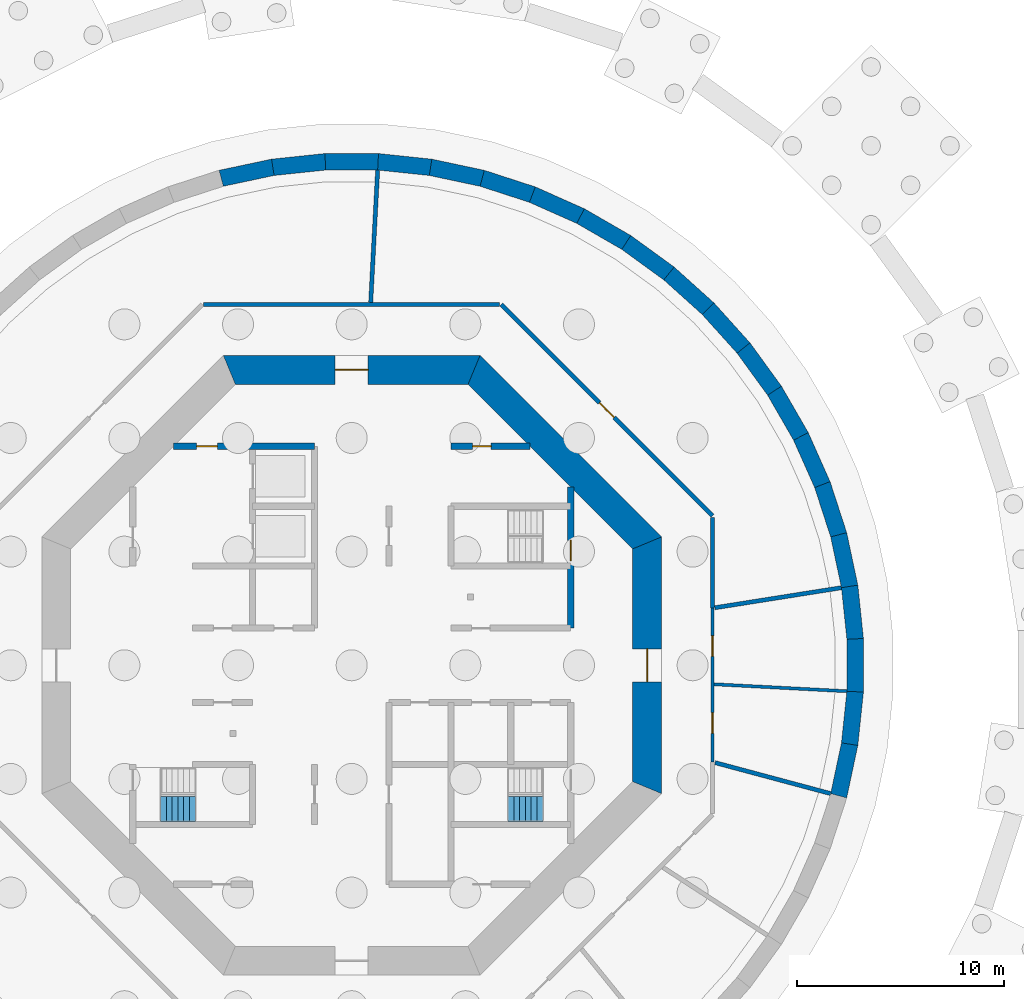
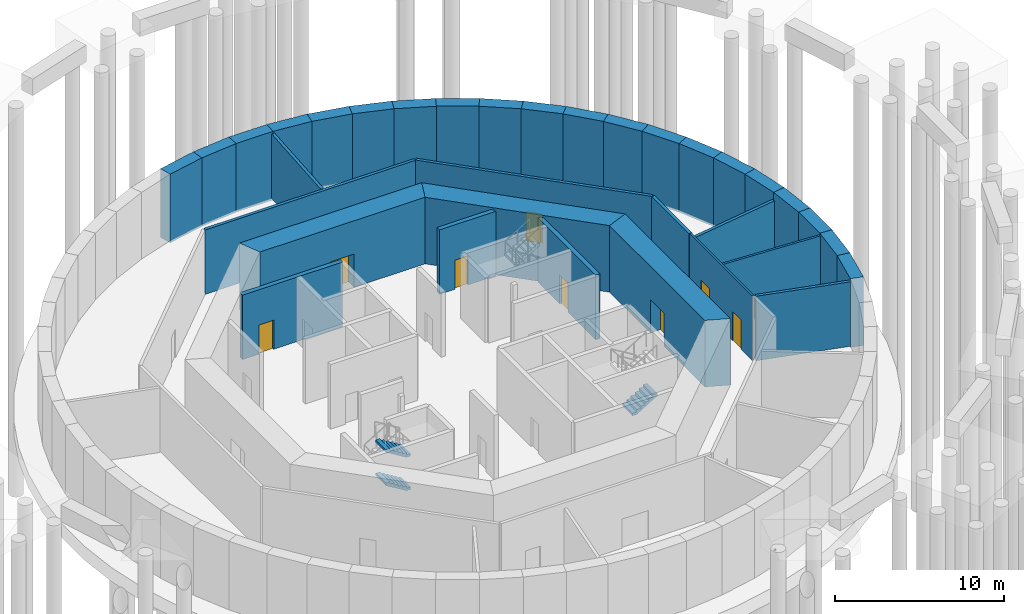
# One storey, part 5 of 8: 34 walls, 8 doors, 3 stair flights, 8 openings, 2 elements without a shape of their own.
"""IFC4 building model written with IfcOpenShell, lengths in metres."""

from ifc_helpers import new_model, si_unit, direction, frame, frame_2d, origin, place, context, subcontext, project, spatial, polyline, rectangle, outline, extrude, material, layer, layer_set, type_object, element, fill, aggregate, save


model = new_model("IFC4")

# Units and contexts
model_context = context("Model", 3, precision=1e-05, world=origin(), true_north=direction((0.0, 1.0)))
body_context = subcontext(model_context, "Body", "Model", "MODEL_VIEW")
ifc_project = project(units=[si_unit("LENGTHUNIT", "METRE"), si_unit("AREAUNIT", "SQUARE_METRE"), si_unit("VOLUMEUNIT", "CUBIC_METRE"), si_unit("PLANEANGLEUNIT", "RADIAN"), si_unit("MASSUNIT", "GRAM", prefix="KILO")], contexts=[model_context])

# Site, building, storey
site_placement = place(None, origin())
site = spatial("IfcSite", under=ifc_project, at=site_placement, CompositionType="ELEMENT")
building_placement = place(site_placement, origin())
building = spatial("IfcBuilding", under=site, at=building_placement, Name="Entoto Ring Tower", CompositionType="ELEMENT")
storey_placement = place(building_placement, frame((0.0, 0.0, -9.60009765625)))
storey = spatial("IfcBuildingStorey", under=building, at=storey_placement, Name="B2", CompositionType="ELEMENT", Elevation=-9.60009765625)

# Wall, opening, door
ifc_material_1 = material(Name="Concrete C40/50", Category="concrete")
ifc_layer_1 = layer(ifc_material_1, 0.300048828125)
ifc_layer_set_1 = layer_set([ifc_layer_1], Name="Concrete C40/50")
wall_type_1 = type_object("IfcWallType", Name="Core enclosure wall 300 mm reinforced concrete", PredefinedType="SOLIDWALL", material=ifc_layer_set_1)
wall_1_placement = place(storey_placement, frame((100.60009765625, 81.800048828125, 0.0), z_axis=(0.0, 0.0, 1.0), x_axis=(0.0, 1.0, 0.0)))
wall_1 = element("IfcWall", 1, at=wall_1_placement, inside=storey, type_object=wall_type_1, Name="wall-B2-002", PredefinedType="SOLIDWALL", context=body_context, shape_type="SweptSolid", body=[
    extrude(rectangle(XDim=6.833251953125, YDim=0.300048828125, at=frame_2d((3.41650390625, 0.0))), origin(), (0.0, 0.0, 1.0), 4.650146484375),
])
opening_1_placement = place(wall_1_placement, frame((3.25, 0.0, 0.0)))
opening_1 = element("IfcOpeningElement", 2, at=opening_1_placement, cuts=wall_1, Name="Opening K-52", PredefinedType="OPENING", context=body_context, shape_type="SweptSolid", body=[
    extrude(rectangle(XDim=1.0, YDim=2.10009765625, at=frame_2d((0.5, 1.050048828125))), frame((0.0, 0.16015625, 0.0), z_axis=(0.0, -1.0, 0.0), x_axis=(1.0, 0.0, 0.0)), (0.0, 0.0, 1.0), 0.320068359375),
])
ifc_material_2 = material(Name="Steel door leaf, fire rated", Category="steel")
ifc_layer_2 = layer(ifc_material_2, 0.050048828125)
ifc_layer_set_2 = layer_set([ifc_layer_2], Name="Steel door leaf, fire rated")
door_type_1 = type_object("IfcDoorType", Name="Fire door FD60 1000 x 2100 single leaf", OperationType="NOTDEFINED", PredefinedType="DOOR", material=ifc_layer_set_2)
door_1_placement = place(opening_1_placement, origin())
door_1 = element("IfcDoor", 3, at=door_1_placement, inside=storey, type_object=door_type_1, Name="Door K-52", OperationType="SINGLE_SWING_RIGHT", OverallHeight=2.10009765625, OverallWidth=1.0, PredefinedType="DOOR", context=body_context, shape_type="SweptSolid", body=[
    extrude(rectangle(XDim=1.0, YDim=2.10009765625, at=frame_2d((0.5, 1.050048828125))), frame((0.0, 0.02490234375, 0.0), z_axis=(0.0, -1.0, 0.0), x_axis=(1.0, 0.0, 0.0)), (0.0, 0.0, 1.0), 0.050048828125),
])
fill(opening_1, door_1)

wall_2_placement = place(storey_placement, frame((81.36669921875, 90.60009765625, 0.0), z_axis=(0.0, 0.0, 1.0), x_axis=(1.0, 0.0, 0.0)))
wall_2 = element("IfcWall", 4, at=wall_2_placement, inside=storey, type_object=wall_type_1, Name="wall-B2-028", PredefinedType="SOLIDWALL", context=body_context, shape_type="SweptSolid", body=[
    extrude(rectangle(XDim=6.833251953125, YDim=0.300048828125, at=frame_2d((3.41650390625, 0.0))), origin(), (0.0, 0.0, 1.0), 4.650146484375),
])
opening_2_placement = place(wall_2_placement, frame((1.13330078125, 0.0, 0.0)))
opening_2 = element("IfcOpeningElement", 5, at=opening_2_placement, cuts=wall_2, Name="Opening K-22", PredefinedType="OPENING", context=body_context, shape_type="SweptSolid", body=[
    extrude(rectangle(XDim=1.0, YDim=2.10009765625, at=frame_2d((0.5, 1.050048828125))), frame((0.0, 0.16015625, 0.0), z_axis=(0.0, -1.0, 0.0), x_axis=(1.0, 0.0, 0.0)), (0.0, 0.0, 1.0), 0.320068359375),
])
door_2_placement = place(opening_2_placement, frame((1.0, 0.0, 0.0), z_axis=(0.0, 0.0, 1.0), x_axis=(-1.0, 0.0, 0.0)))
door_2 = element("IfcDoor", 6, at=door_2_placement, inside=storey, type_object=door_type_1, Name="Door K-22", OperationType="SINGLE_SWING_RIGHT", OverallHeight=2.10009765625, OverallWidth=1.0, PredefinedType="DOOR", context=body_context, shape_type="SweptSolid", body=[
    extrude(rectangle(XDim=1.0, YDim=2.10009765625, at=frame_2d((0.5, 1.050048828125))), frame((0.0, 0.02490234375, 0.0), z_axis=(0.0, -1.0, 0.0), x_axis=(1.0, 0.0, 0.0)), (0.0, 0.0, 1.0), 0.050048828125),
])
fill(opening_2, door_2)

wall_3_placement = place(storey_placement, frame((94.800048828125, 90.60009765625, 0.0), z_axis=(0.0, 0.0, 1.0), x_axis=(1.0, 0.0, 0.0)))
wall_3 = element("IfcWall", 7, at=wall_3_placement, inside=storey, type_object=wall_type_1, Name="wall-B2-029", PredefinedType="SOLIDWALL", context=body_context, shape_type="SweptSolid", body=[
    extrude(rectangle(XDim=3.833251953125, YDim=0.300048828125, at=frame_2d((1.91650390625, 0.0))), origin(), (0.0, 0.0, 1.0), 4.650146484375),
])
opening_3_placement = place(wall_3_placement, frame((1.050048828125, 0.0, 0.0)))
opening_3 = element("IfcOpeningElement", 8, at=opening_3_placement, cuts=wall_3, Name="Opening K-60", PredefinedType="OPENING", context=body_context, shape_type="SweptSolid", body=[
    extrude(rectangle(XDim=0.89990234375, YDim=2.10009765625, at=frame_2d((0.449951171875, 1.050048828125))), frame((0.0, 0.16015625, 0.0), z_axis=(0.0, -1.0, 0.0), x_axis=(1.0, 0.0, 0.0)), (0.0, 0.0, 1.0), 0.320068359375),
])
ifc_material_3 = material(Name="Steel door leaf, fire rated", Category="steel")
ifc_layer_3 = layer(ifc_material_3, 0.050048828125)
ifc_layer_set_3 = layer_set([ifc_layer_3], Name="Steel door leaf, fire rated")
door_type_2 = type_object("IfcDoorType", Name="Riser door FD60 900 x 2100 single leaf", OperationType="NOTDEFINED", PredefinedType="DOOR", material=ifc_layer_set_3)
door_3_placement = place(opening_3_placement, frame((0.89990234375, 0.0, 0.0), z_axis=(0.0, 0.0, 1.0), x_axis=(-1.0, 0.0, 0.0)))
door_3 = element("IfcDoor", 9, at=door_3_placement, inside=storey, type_object=door_type_2, Name="Door K-60", OperationType="SINGLE_SWING_LEFT", OverallHeight=2.10009765625, OverallWidth=0.89990234375, PredefinedType="DOOR", context=body_context, shape_type="SweptSolid", body=[
    extrude(rectangle(XDim=0.89990234375, YDim=2.10009765625, at=frame_2d((0.449951171875, 1.050048828125))), frame((0.0, 0.02490234375, 0.0), z_axis=(0.0, -1.0, 0.0), x_axis=(1.0, 0.0, 0.0)), (0.0, 0.0, 1.0), 0.050048828125),
])
fill(opening_3, door_3)

ifc_material_4 = material(Name="Concrete C60/75", Category="concrete")
ifc_layer_4 = layer(ifc_material_4, 1.39990234375)
ifc_layer_set_4 = layer_set([ifc_layer_4], Name="Concrete C60/75")
wall_type_2 = type_object("IfcWallType", Name="Core shear wall 1400 mm reinforced concrete C60/75", PredefinedType="SHEAR", material=ifc_layer_set_4)
wall_4_placement = place(storey_placement, frame((104.300048828125, 74.07666015625, 0.0), z_axis=(0.0, 0.0, 1.0), x_axis=(0.0, 1.0, 0.0)))
wall_4 = element("IfcWall", 10, at=wall_4_placement, inside=storey, type_object=wall_type_2, Name="wall-B2-core-0", PredefinedType="SHEAR", context=body_context, shape_type="SweptSolid", body=[
    extrude(outline(polyline([(-0.2900390625, -0.699951171875), (12.13671875, -0.699951171875), (11.556640625, 0.699951171875), (0.2900390625, 0.699951171875), (-0.2900390625, -0.699951171875)])), origin(), (0.0, 0.0, 1.0), 4.800048828125),
])
opening_4_placement = place(wall_4_placement, frame((5.123291015625, 0.0, 0.0)))
opening_4 = element("IfcOpeningElement", 11, at=opening_4_placement, cuts=wall_4, Name="Opening K-01", PredefinedType="OPENING", context=body_context, shape_type="SweptSolid", body=[
    extrude(rectangle(XDim=1.60009765625, YDim=2.39990234375, at=frame_2d((0.800048828125, 1.199951171875))), frame((0.0, 0.7099609375, 0.0), z_axis=(0.0, -1.0, 0.0), x_axis=(1.0, 0.0, 0.0)), (0.0, 0.0, 1.0), 1.419921875),
])
ifc_material_5 = material(Name="Steel door leaf, fire rated", Category="steel")
ifc_layer_5 = layer(ifc_material_5, 0.050048828125)
ifc_layer_set_5 = layer_set([ifc_layer_5], Name="Steel door leaf, fire rated")
door_type_3 = type_object("IfcDoorType", Name="Entrance door FD60 1600 x 2400 double leaf", OperationType="DOUBLE_DOOR_SINGLE_SWING", PredefinedType="DOOR", material=ifc_layer_set_5)
door_4_placement = place(opening_4_placement, origin())
door_4 = element("IfcDoor", 12, at=door_4_placement, inside=storey, type_object=door_type_3, Name="Entrance door K-01", OperationType="DOUBLE_DOOR_SINGLE_SWING", OverallHeight=2.39990234375, OverallWidth=1.60009765625, PredefinedType="DOOR", context=body_context, shape_type="SweptSolid", body=[
    extrude(rectangle(XDim=1.60009765625, YDim=2.39990234375, at=frame_2d((0.800048828125, 1.199951171875))), frame((0.0, 0.02490234375, 0.0), z_axis=(0.0, -1.0, 0.0), x_axis=(1.0, 0.0, 0.0)), (0.0, 0.0, 1.0), 0.050048828125),
])
fill(opening_4, door_4)

# Wall
wall_5_placement = place(storey_placement, frame((104.300048828125, 85.92333984375, 0.0), z_axis=(0.0, 0.0, 1.0), x_axis=(-0.707106781187, 0.707106781187, 0.0)))
element("IfcWall", 13, at=wall_5_placement, inside=storey, type_object=wall_type_2, Name="wall-B2-core-1", PredefinedType="SHEAR", context=body_context, shape_type="SweptSolid", body=[
    extrude(outline(polyline([(-0.2900390625, -0.699951171875), (12.136474609375, -0.699951171875), (11.556396484375, 0.699951171875), (0.2900390625, 0.699951171875), (-0.2900390625, -0.699951171875)])), origin(), (0.0, 0.0, 1.0), 4.800048828125),
])

# Wall, opening, door
wall_6_placement = place(storey_placement, frame((95.92333984375, 94.300048828125, 0.0), z_axis=(0.0, 0.0, 1.0), x_axis=(-1.0, 0.0, 0.0)))
wall_6 = element("IfcWall", 14, at=wall_6_placement, inside=storey, type_object=wall_type_2, Name="wall-B2-core-2", PredefinedType="SHEAR", context=body_context, shape_type="SweptSolid", body=[
    extrude(outline(polyline([(-0.2900390625, -0.699951171875), (12.13671875, -0.699951171875), (11.556640625, 0.699951171875), (0.2900390625, 0.699951171875), (-0.2900390625, -0.699951171875)])), origin(), (0.0, 0.0, 1.0), 4.800048828125),
])
opening_5_placement = place(wall_6_placement, frame((5.123291015625, 0.0, 0.0)))
opening_5 = element("IfcOpeningElement", 15, at=opening_5_placement, cuts=wall_6, Name="Opening K-02", PredefinedType="OPENING", context=body_context, shape_type="SweptSolid", body=[
    extrude(rectangle(XDim=1.60009765625, YDim=2.39990234375, at=frame_2d((0.800048828125, 1.199951171875))), frame((0.0, 0.7099609375, 0.0), z_axis=(0.0, -1.0, 0.0), x_axis=(1.0, 0.0, 0.0)), (0.0, 0.0, 1.0), 1.419921875),
])
door_5_placement = place(opening_5_placement, origin())
door_5 = element("IfcDoor", 16, at=door_5_placement, inside=storey, type_object=door_type_3, Name="Entrance door K-02", OperationType="DOUBLE_DOOR_SINGLE_SWING", OverallHeight=2.39990234375, OverallWidth=1.60009765625, PredefinedType="DOOR", context=body_context, shape_type="SweptSolid", body=[
    extrude(rectangle(XDim=1.60009765625, YDim=2.39990234375, at=frame_2d((0.800048828125, 1.199951171875))), frame((0.0, 0.02490234375, 0.0), z_axis=(0.0, -1.0, 0.0), x_axis=(1.0, 0.0, 0.0)), (0.0, 0.0, 1.0), 0.050048828125),
])
fill(opening_5, door_5)

# Wall, openings, doors
ifc_material_6 = material(Name="Fire-resisting plasterboard on steel studs", Category="steel")
ifc_layer_6 = layer(ifc_material_6, 0.125)
ifc_layer_set_6 = layer_set([ifc_layer_6], Name="Fire-resisting plasterboard on steel studs")
wall_type_3 = type_object("IfcWallType", Name="Corridor wall 125 mm one-hour plasterboard on steel studs", PredefinedType="PARTITIONING", material=ifc_layer_set_6)
wall_7_placement = place(storey_placement, frame((107.46240234375, 75.32080078125, 0.0), z_axis=(0.0, 0.0, 1.0), x_axis=(0.0, 1.0, 0.0)))
wall_7 = element("IfcWall", 17, at=wall_7_placement, inside=storey, type_object=wall_type_3, Name="partition-B2-001", PredefinedType="PARTITIONING", context=body_context, shape_type="SweptSolid", body=[
    extrude(rectangle(XDim=7.445068359375, YDim=0.125, at=frame_2d((3.72265625, 0.0))), origin(), (0.0, 0.0, 1.0), 4.650146484375),
])
opening_6_placement = place(wall_7_placement, frame((1.3818359375, 0.0, 0.0)))
opening_6 = element("IfcOpeningElement", 18, at=opening_6_placement, cuts=wall_7, Name="Opening B02-D09", PredefinedType="OPENING", context=body_context, shape_type="SweptSolid", body=[
    extrude(rectangle(XDim=1.0, YDim=2.10009765625, at=frame_2d((0.5, 1.050048828125))), frame((0.0, 0.072509765625, 0.0), z_axis=(0.0, -1.0, 0.0), x_axis=(1.0, 0.0, 0.0)), (0.0, 0.0, 1.0), 0.14501953125),
])
opening_7_placement = place(wall_7_placement, frame((5.1044921875, 0.0, 0.0)))
opening_7 = element("IfcOpeningElement", 19, at=opening_7_placement, cuts=wall_7, Name="Opening B02-D10", PredefinedType="OPENING", context=body_context, shape_type="SweptSolid", body=[
    extrude(rectangle(XDim=1.0, YDim=2.10009765625, at=frame_2d((0.5, 1.050048828125))), frame((0.0, 0.072509765625, 0.0), z_axis=(0.0, -1.0, 0.0), x_axis=(1.0, 0.0, 0.0)), (0.0, 0.0, 1.0), 0.14501953125),
])
ifc_material_7 = material(Name="Fire-resisting timber door set", Category="wood")
door_type_4 = type_object("IfcDoorType", Name="Door 1000 x 2100 single leaf FD30S fire door", OperationType="NOTDEFINED", PredefinedType="DOOR", material=ifc_material_7)
door_6_placement = place(opening_6_placement, frame((1.0, 0.0, 0.0), z_axis=(0.0, 0.0, 1.0), x_axis=(-1.0, 0.0, 0.0)))
door_6 = element("IfcDoor", 20, at=door_6_placement, inside=storey, type_object=door_type_4, Name="Door B02-D09", OperationType="SINGLE_SWING_RIGHT", OverallHeight=2.10009765625, OverallWidth=1.0, PredefinedType="DOOR", context=body_context, shape_type="SweptSolid", body=[
    extrude(rectangle(XDim=1.0, YDim=2.10009765625, at=frame_2d((0.5, 1.050048828125))), frame((0.0, 0.02490234375, 0.0), z_axis=(0.0, -1.0, 0.0), x_axis=(1.0, 0.0, 0.0)), (0.0, 0.0, 1.0), 0.050048828125),
])
fill(opening_6, door_6)
door_7_placement = place(opening_7_placement, frame((1.0, 0.0, 0.0), z_axis=(0.0, 0.0, 1.0), x_axis=(-1.0, 0.0, 0.0)))
door_7 = element("IfcDoor", 21, at=door_7_placement, inside=storey, type_object=door_type_4, Name="Door B02-D10", OperationType="SINGLE_SWING_RIGHT", OverallHeight=2.10009765625, OverallWidth=1.0, PredefinedType="DOOR", context=body_context, shape_type="SweptSolid", body=[
    extrude(rectangle(XDim=1.0, YDim=2.10009765625, at=frame_2d((0.5, 1.050048828125))), frame((0.0, 0.02490234375, 0.0), z_axis=(0.0, -1.0, 0.0), x_axis=(1.0, 0.0, 0.0)), (0.0, 0.0, 1.0), 0.050048828125),
])
fill(opening_7, door_7)

# Wall
ifc_material_8 = material(Name="Fire-resisting acoustic plasterboard on steel studs", Category="steel")
ifc_layer_7 = layer(ifc_material_8, 0.14990234375)
ifc_layer_set_7 = layer_set([ifc_layer_7], Name="Fire-resisting acoustic plasterboard on steel studs")
wall_type_4 = type_object("IfcWallType", Name="Party wall 150 mm one-hour acoustic plasterboard on steel studs", PredefinedType="PARTITIONING", material=ifc_layer_set_7)
wall_8_placement = place(storey_placement, frame((113.962158203125, 78.744140625, 0.0), z_axis=(0.0, 0.0, 1.0), x_axis=(-0.998629529589, 0.052336054812, 0.0)))
element("IfcWall", 22, at=wall_8_placement, inside=storey, type_object=wall_type_4, Name="partition-B2-002", PredefinedType="PARTITIONING", context=body_context, shape_type="SweptSolid", body=[
    extrude(rectangle(XDim=6.442138671875, YDim=0.14990234375, at=frame_2d((3.22119140625, 0.0))), origin(), (0.0, 0.0, 1.0), 4.650146484375),
])

# Wall, opening, door
ifc_material_9 = material(Name="Concrete C20/25", Category="concrete")
ifc_layer_8 = layer(ifc_material_9, 0.199951171875)
ifc_layer_set_8 = layer_set([ifc_layer_8], Name="Concrete C20/25")
wall_type_5 = type_object("IfcWallType", Name="Plant room wall 200 mm two-hour concrete", PredefinedType="PARTITIONING", material=ifc_layer_set_8)
wall_9_placement = place(storey_placement, frame((107.46240234375, 87.233154296875, 0.0), z_axis=(0.0, 0.0, 1.0), x_axis=(-0.707106781187, 0.707106781187, 0.0)))
wall_9 = element("IfcWall", 23, at=wall_9_placement, inside=storey, type_object=wall_type_5, Name="partition-B2-006", PredefinedType="PARTITIONING", context=body_context, shape_type="SweptSolid", body=[
    extrude(rectangle(XDim=14.46630859375, YDim=0.199951171875, at=frame_2d((7.233154296875, 0.0))), origin(), (0.0, 0.0, 1.0), 4.650146484375),
])
opening_8_placement = place(wall_9_placement, frame((6.733154296875, 0.0, 0.0)))
opening_8 = element("IfcOpeningElement", 24, at=opening_8_placement, cuts=wall_9, Name="Opening B02-D01", PredefinedType="OPENING", context=body_context, shape_type="SweptSolid", body=[
    extrude(rectangle(XDim=1.0, YDim=2.10009765625, at=frame_2d((0.5, 1.050048828125))), frame((0.0, 0.10986328125, 0.0), z_axis=(0.0, -1.0, 0.0), x_axis=(1.0, 0.0, 0.0)), (0.0, 0.0, 1.0), 0.219970703125),
])
ifc_material_10 = material(Name="Fire-resisting steel door set", Category="steel")
door_type_5 = type_object("IfcDoorType", Name="Door 1000 x 2100 single leaf FD60 steel door", OperationType="NOTDEFINED", PredefinedType="DOOR", material=ifc_material_10)
door_8_placement = place(opening_8_placement, frame((1.0, 0.0, 0.0), z_axis=(0.0, 0.0, 1.0), x_axis=(-1.0, 0.0, 0.0)))
door_8 = element("IfcDoor", 25, at=door_8_placement, inside=storey, type_object=door_type_5, Name="Door B02-D01", OperationType="SINGLE_SWING_RIGHT", OverallHeight=2.10009765625, OverallWidth=1.0, PredefinedType="DOOR", context=body_context, shape_type="SweptSolid", body=[
    extrude(rectangle(XDim=1.0, YDim=2.10009765625, at=frame_2d((0.5, 1.050048828125))), frame((0.0, 0.02490234375, 0.0), z_axis=(0.0, -1.0, 0.0), x_axis=(1.0, 0.0, 0.0)), (0.0, 0.0, 1.0), 0.050048828125),
])
fill(opening_8, door_8)

# Walls
wall_10_placement = place(storey_placement, frame((82.83740234375, 97.46240234375, 0.0), z_axis=(0.0, 0.0, 1.0), x_axis=(1.0, 0.0, 0.0)))
element("IfcWall", 26, at=wall_10_placement, inside=storey, type_object=wall_type_5, Name="partition-B2-009", PredefinedType="PARTITIONING", context=body_context, shape_type="SweptSolid", body=[
    extrude(rectangle(XDim=14.3251953125, YDim=0.199951171875, at=frame_2d((7.16259765625, 0.0))), origin(), (0.0, 0.0, 1.0), 4.650146484375),
])
wall_11_placement = place(storey_placement, frame((90.920654296875, 97.567626953125, 0.0), z_axis=(0.0, 0.0, 1.0), x_axis=(0.052348710803, 0.998628866235, 0.0)))
element("IfcWall", 27, at=wall_11_placement, inside=storey, type_object=wall_type_5, Name="partition-B2-010", PredefinedType="PARTITIONING", context=body_context, shape_type="SweptSolid", body=[
    extrude(rectangle(XDim=6.4033203125, YDim=0.199951171875, at=frame_2d((3.20166015625, 0.0))), origin(), (0.0, 0.0, 1.0), 4.650146484375),
])
wall_12_placement = place(storey_placement, frame((113.177490234375, 73.78955078125, 0.0), z_axis=(0.0, 0.0, 1.0), x_axis=(-0.96592752309, 0.258812712473, 0.0)))
element("IfcWall", 28, at=wall_12_placement, inside=storey, type_object=wall_type_5, Name="partition-B2-016", PredefinedType="PARTITIONING", context=body_context, shape_type="SweptSolid", body=[
    extrude(rectangle(XDim=5.786376953125, YDim=0.199951171875, at=frame_2d((2.89306640625, 0.0))), origin(), (0.0, 0.0, 1.0), 4.650146484375),
])
wall_13_placement = place(storey_placement, frame((107.46240234375, 82.765869140625, 0.0), z_axis=(0.0, 0.0, 1.0), x_axis=(0.0, 1.0, 0.0)))
element("IfcWall", 29, at=wall_13_placement, inside=storey, type_object=wall_type_5, Name="partition-B2-019", PredefinedType="PARTITIONING", context=body_context, shape_type="SweptSolid", body=[
    extrude(rectangle(XDim=4.396728515625, YDim=0.199951171875, at=frame_2d((2.1982421875, 0.0))), origin(), (0.0, 0.0, 1.0), 4.650146484375),
])
ifc_material_11 = material(Name="Concrete C20/25", Category="concrete")
ifc_layer_9 = layer(ifc_material_11, 0.199951171875)
ifc_layer_set_9 = layer_set([ifc_layer_9], Name="Concrete C20/25")
wall_type_6 = type_object("IfcWallType", Name="Plant room wall 200 mm two-hour concrete, 4250 mm high", PredefinedType="PARTITIONING", material=ifc_layer_set_9)
wall_14_placement = place(storey_placement, frame((107.578125, 82.7841796875, 0.0), z_axis=(0.0, 0.0, 1.0), x_axis=(0.98769035784, 0.156421728124, 0.0)))
element("IfcWall", 30, at=wall_14_placement, inside=storey, type_object=wall_type_6, Name="partition-B2-013", PredefinedType="PARTITIONING", context=body_context, shape_type="SweptSolid", body=[
    extrude(rectangle(XDim=6.19775390625, YDim=0.199951171875, at=frame_2d((3.098876953125, 0.0))), origin(), (0.0, 0.0, 1.0), 4.25),
])
ifc_material_12 = material(Name="Concrete C40/50", Category="concrete")
ifc_layer_10 = layer(ifc_material_12, 0.800048828125)
ifc_layer_set_10 = layer_set([ifc_layer_10], Name="Concrete C40/50")
wall_type_7 = type_object("IfcWallType", Name="Retaining wall 800 mm lower basement", PredefinedType="SOLIDWALL", material=ifc_layer_set_10)
wall_15_placement = place(storey_placement, frame((114.10009765625, 83.817138671875, -0.14990234375), z_axis=(0.0, 0.0, 1.0), x_axis=(-0.207903341306, 0.97814937544, 0.0)))
element("IfcWall", 31, at=wall_15_placement, inside=storey, type_object=wall_type_7, Name="Retaining wall B2 01", PredefinedType="SOLIDWALL", context=body_context, shape_type="SweptSolid", body=[
    extrude(outline(polyline([(-0.02099609375, -0.39990234375), (2.5751953125, -0.39990234375), (2.533203125, 0.39990234375), (0.02099609375, 0.39990234375), (-0.02099609375, -0.39990234375)])), origin(), (0.0, 0.0, 1.0), 4.949951171875),
])
for number, where, z_axis, x_axis, name in (
    (32, (113.569091796875, 86.3154296875, -0.14990234375), (0.0, 0.0, 1.0), (-0.30904932669, 0.951046010282, 0.0), "Retaining wall B2 02"),
    (33, (112.77978515625, 88.744384765625, -0.14990234375), (0.0, 0.0, 1.0), (-0.406732610778, 0.913547252927, 0.0), "Retaining wall B2 03"),
    (34, (111.740966796875, 91.07763671875, -0.14990234375), (0.0, 0.0, 1.0), (-0.499943114462, 0.866058244174, 0.0), "Retaining wall B2 04"),
    (35, (110.464111328125, 93.28955078125, -0.14990234375), (0.0, 0.0, 1.0), (-0.587802181756, 0.809004694129, 0.0), "Retaining wall B2 05"),
):
    element("IfcWall", number, at=place(storey_placement, frame(where, z_axis=z_axis, x_axis=x_axis)), inside=storey, type_object=wall_type_7, Name=name, PredefinedType="SOLIDWALL", context=body_context, shape_type="SweptSolid", body=[
        extrude(outline(polyline([(-0.02099609375, -0.39990234375), (2.574951171875, -0.39990234375), (2.532958984375, 0.39990234375), (0.02099609375, 0.39990234375), (-0.02099609375, -0.39990234375)])), origin(), (0.0, 0.0, 1.0), 4.949951171875),
    ])
for number, where, z_axis, x_axis, name in (
    (36, (108.962890625, 95.355712890625, -0.14990234375), (0.0, 0.0, 1.0), (-0.669096744895, 0.74317531308, 0.0), "Retaining wall B2 06"),
    (37, (107.25390625, 97.25390625, -0.14990234375), (0.0, 0.0, 1.0), (-0.74317531308, 0.669096744895, 0.0), "Retaining wall B2 07"),
):
    element("IfcWall", number, at=place(storey_placement, frame(where, z_axis=z_axis, x_axis=x_axis)), inside=storey, type_object=wall_type_7, Name=name, PredefinedType="SOLIDWALL", context=body_context, shape_type="SweptSolid", body=[
        extrude(outline(polyline([(-0.02099609375, -0.39990234375), (2.5751953125, -0.39990234375), (2.533203125, 0.39990234375), (0.02099609375, 0.39990234375), (-0.02099609375, -0.39990234375)])), origin(), (0.0, 0.0, 1.0), 4.949951171875),
    ])
for number, where, z_axis, x_axis, name in (
    (38, (105.355712890625, 98.962890625, -0.14990234375), (0.0, 0.0, 1.0), (-0.809004694129, 0.587802181756, 0.0), "Retaining wall B2 08"),
    (39, (103.28955078125, 100.464111328125, -0.14990234375), (0.0, 0.0, 1.0), (-0.866058244174, 0.499943114462, 0.0), "Retaining wall B2 09"),
    (40, (101.07763671875, 101.740966796875, -0.14990234375), (0.0, 0.0, 1.0), (-0.913547252927, 0.406732610778, 0.0), "Retaining wall B2 10"),
    (41, (98.744384765625, 102.77978515625, -0.14990234375), (0.0, 0.0, 1.0), (-0.951046010282, 0.30904932669, 0.0), "Retaining wall B2 11"),
):
    element("IfcWall", number, at=place(storey_placement, frame(where, z_axis=z_axis, x_axis=x_axis)), inside=storey, type_object=wall_type_7, Name=name, PredefinedType="SOLIDWALL", context=body_context, shape_type="SweptSolid", body=[
        extrude(outline(polyline([(-0.02099609375, -0.39990234375), (2.574951171875, -0.39990234375), (2.532958984375, 0.39990234375), (0.02099609375, 0.39990234375), (-0.02099609375, -0.39990234375)])), origin(), (0.0, 0.0, 1.0), 4.949951171875),
    ])
wall_16_placement = place(storey_placement, frame((96.3154296875, 103.569091796875, -0.14990234375), z_axis=(0.0, 0.0, 1.0), x_axis=(-0.97814937544, 0.207903341306, 0.0)))
element("IfcWall", 42, at=wall_16_placement, inside=storey, type_object=wall_type_7, Name="Retaining wall B2 12", PredefinedType="SOLIDWALL", context=body_context, shape_type="SweptSolid", body=[
    extrude(outline(polyline([(-0.02099609375, -0.39990234375), (2.5751953125, -0.39990234375), (2.533203125, 0.39990234375), (0.02099609375, 0.39990234375), (-0.02099609375, -0.39990234375)])), origin(), (0.0, 0.0, 1.0), 4.949951171875),
])
wall_17_placement = place(storey_placement, frame((93.817138671875, 104.10009765625, -0.14990234375), z_axis=(0.0, 0.0, 1.0), x_axis=(-0.994516970058, 0.104575313845, 0.0)))
element("IfcWall", 43, at=wall_17_placement, inside=storey, type_object=wall_type_7, Name="Retaining wall B2 13", PredefinedType="SOLIDWALL", context=body_context, shape_type="SweptSolid", body=[
    extrude(outline(polyline([(-0.02099609375, -0.39990234375), (2.574951171875, -0.39990234375), (2.532958984375, 0.39990234375), (0.02099609375, 0.39990234375), (-0.02099609375, -0.39990234375)])), origin(), (0.0, 0.0, 1.0), 4.949951171875),
])
wall_18_placement = place(storey_placement, frame((91.277099609375, 104.3671875, -0.14990234375), z_axis=(0.0, 0.0, 1.0), x_axis=(-1.0, 0.0, 0.0)))
element("IfcWall", 44, at=wall_18_placement, inside=storey, type_object=wall_type_7, Name="Retaining wall B2 14", PredefinedType="SOLIDWALL", context=body_context, shape_type="SweptSolid", body=[
    extrude(outline(polyline([(-0.02099609375, -0.39990234375), (2.5751953125, -0.39990234375), (2.533203125, 0.39990234375), (0.02099609375, 0.39990234375), (-0.02099609375, -0.39990234375)])), origin(), (0.0, 0.0, 1.0), 4.949951171875),
])
wall_19_placement = place(storey_placement, frame((88.722900390625, 104.3671875, -0.14990234375), z_axis=(0.0, 0.0, 1.0), x_axis=(-0.994516970058, -0.104575313845, 0.0)))
element("IfcWall", 45, at=wall_19_placement, inside=storey, type_object=wall_type_7, Name="Retaining wall B2 15", PredefinedType="SOLIDWALL", context=body_context, shape_type="SweptSolid", body=[
    extrude(outline(polyline([(-0.02099609375, -0.39990234375), (2.574951171875, -0.39990234375), (2.532958984375, 0.39990234375), (0.02099609375, 0.39990234375), (-0.02099609375, -0.39990234375)])), origin(), (0.0, 0.0, 1.0), 4.949951171875),
])
for number, where, z_axis, x_axis, name in (
    (46, (86.182861328125, 104.10009765625, -0.14990234375), (0.0, 0.0, 1.0), (-0.97814937544, -0.207903341306, 0.0), "Retaining wall B2 16"),
    (47, (113.569091796875, 73.6845703125, -0.14990234375), (0.0, 0.0, 1.0), (0.207903341306, 0.97814937544, 0.0), "Retaining wall B2 57"),
):
    element("IfcWall", number, at=place(storey_placement, frame(where, z_axis=z_axis, x_axis=x_axis)), inside=storey, type_object=wall_type_7, Name=name, PredefinedType="SOLIDWALL", context=body_context, shape_type="SweptSolid", body=[
        extrude(outline(polyline([(-0.02099609375, -0.39990234375), (2.5751953125, -0.39990234375), (2.533203125, 0.39990234375), (0.02099609375, 0.39990234375), (-0.02099609375, -0.39990234375)])), origin(), (0.0, 0.0, 1.0), 4.949951171875),
    ])
wall_20_placement = place(storey_placement, frame((114.10009765625, 76.182861328125, -0.14990234375), z_axis=(0.0, 0.0, 1.0), x_axis=(0.104575313845, 0.994516970058, 0.0)))
element("IfcWall", 48, at=wall_20_placement, inside=storey, type_object=wall_type_7, Name="Retaining wall B2 58", PredefinedType="SOLIDWALL", context=body_context, shape_type="SweptSolid", body=[
    extrude(outline(polyline([(-0.02099609375, -0.39990234375), (2.574951171875, -0.39990234375), (2.532958984375, 0.39990234375), (0.02099609375, 0.39990234375), (-0.02099609375, -0.39990234375)])), origin(), (0.0, 0.0, 1.0), 4.949951171875),
])
wall_21_placement = place(storey_placement, frame((114.3671875, 78.722900390625, -0.14990234375), z_axis=(0.0, 0.0, 1.0), x_axis=(0.0, 1.0, 0.0)))
element("IfcWall", 49, at=wall_21_placement, inside=storey, type_object=wall_type_7, Name="Retaining wall B2 59", PredefinedType="SOLIDWALL", context=body_context, shape_type="SweptSolid", body=[
    extrude(outline(polyline([(-0.02099609375, -0.39990234375), (2.5751953125, -0.39990234375), (2.533203125, 0.39990234375), (0.02099609375, 0.39990234375), (-0.02099609375, -0.39990234375)])), origin(), (0.0, 0.0, 1.0), 4.949951171875),
])
wall_22_placement = place(storey_placement, frame((114.3671875, 81.277099609375, -0.14990234375), z_axis=(0.0, 0.0, 1.0), x_axis=(-0.104575313845, 0.994516970058, 0.0)))
element("IfcWall", 50, at=wall_22_placement, inside=storey, type_object=wall_type_7, Name="Retaining wall B2 60", PredefinedType="SOLIDWALL", context=body_context, shape_type="SweptSolid", body=[
    extrude(outline(polyline([(-0.02099609375, -0.39990234375), (2.574951171875, -0.39990234375), (2.532958984375, 0.39990234375), (0.02099609375, 0.39990234375), (-0.02099609375, -0.39990234375)])), origin(), (0.0, 0.0, 1.0), 4.949951171875),
])

# Stair, stair flights
ifc_material_13 = material(Name="Concrete C40/50", Category="concrete")
stair_type = type_object("IfcStairType", Name="Exit stair 1200 mm dog-leg reinforced concrete", PredefinedType="HALF_TURN_STAIR", material=ifc_material_13)
stair_1_placement = place(storey_placement, origin())
stair_1 = element("IfcStair", 51, at=stair_1_placement, inside=storey, type_object=stair_type, Name="Exit stair 2", PredefinedType="HALF_TURN_STAIR")
ifc_material_14 = material(Name="Concrete C40/50", Category="concrete")
stair_flight_type = type_object("IfcStairFlightType", Name="Stair flight 1200 mm reinforced concrete", PredefinedType="STRAIGHT", material=ifc_material_14)
stair_flight_1_placement = place(storey_placement, frame((82.429931640625, 73.050048828125, 1.2001953125), z_axis=(0.0, 0.0, 1.0), x_axis=(-1.0, 0.0, 0.0)))
stair_flight_1 = element("IfcStairFlight", 52, at=stair_flight_1_placement, type_object=stair_flight_type, Name="ST2 flight 2", NumberOfRisers=7, NumberOfTreads=6, PredefinedType="STRAIGHT", RiserHeight=0.171428571, TreadLength=0.28, context=body_context, shape_type="SweptSolid", body=[
    extrude(outline(polyline([(0.0, 0.0), (0.0, 0.05712890625), (0.0, 0.1142578125), (0.0, 0.17138671875), (0.280029296875, 0.17138671875), (0.280029296875, 0.3427734375), (0.56005859375, 0.3427734375), (0.56005859375, 0.514404296875), (0.840087890625, 0.514404296875), (0.840087890625, 0.685791015625), (1.1201171875, 0.685791015625), (1.1201171875, 0.857177734375), (1.39990234375, 0.857177734375), (1.39990234375, 1.028564453125), (1.679931640625, 1.028564453125), (1.679931640625, 1.199951171875), (1.679931640625, 1.084228515625), (1.679931640625, 0.968505859375), (1.679931640625, 0.852783203125), (0.287109375, 0.0), (0.0, 0.0)])), frame((0.0, 0.60009765625, 0.0), z_axis=(0.0, -1.0, 0.0), x_axis=(1.0, 0.0, 0.0)), (0.0, 0.0, 1.0), 1.199951171875),
])
stair_flight_2_placement = place(storey_placement, frame((82.429931640625, 73.050048828125, 3.60009765625), z_axis=(0.0, 0.0, 1.0), x_axis=(-1.0, 0.0, 0.0)))
stair_flight_2 = element("IfcStairFlight", 53, at=stair_flight_2_placement, type_object=stair_flight_type, Name="ST2 flight 4", NumberOfRisers=7, NumberOfTreads=6, PredefinedType="STRAIGHT", RiserHeight=0.171428571, TreadLength=0.28, context=body_context, shape_type="SweptSolid", body=[
    extrude(outline(polyline([(0.0, 0.0), (0.0, 0.05712890625), (0.0, 0.1142578125), (0.0, 0.17138671875), (0.280029296875, 0.17138671875), (0.280029296875, 0.3427734375), (0.56005859375, 0.3427734375), (0.56005859375, 0.514404296875), (0.840087890625, 0.514404296875), (0.840087890625, 0.685791015625), (1.1201171875, 0.685791015625), (1.1201171875, 0.857177734375), (1.39990234375, 0.857177734375), (1.39990234375, 1.028564453125), (1.679931640625, 1.028564453125), (1.679931640625, 1.199951171875), (1.679931640625, 1.084228515625), (1.679931640625, 0.968505859375), (1.679931640625, 0.852783203125), (0.287109375, 0.0), (0.0, 0.0)])), frame((0.0, 0.60009765625, 0.0), z_axis=(0.0, -1.0, 0.0), x_axis=(1.0, 0.0, 0.0)), (0.0, 0.0, 1.0), 1.199951171875),
])
aggregate(stair_1, [stair_flight_1, stair_flight_2])

# Stair, stair flight
stair_2_placement = place(storey_placement, origin())
stair_2 = element("IfcStair", 54, at=stair_2_placement, inside=storey, type_object=stair_type, Name="Exit stair 3", PredefinedType="HALF_TURN_STAIR")
stair_flight_3_placement = place(storey_placement, frame((97.570068359375, 73.050048828125, 1.2001953125), z_axis=(0.0, 0.0, 1.0), x_axis=(1.0, 0.0, 0.0)))
stair_flight_3 = element("IfcStairFlight", 55, at=stair_flight_3_placement, type_object=stair_flight_type, Name="ST3 flight 2", NumberOfRisers=7, NumberOfTreads=6, PredefinedType="STRAIGHT", RiserHeight=0.171428571, TreadLength=0.28, context=body_context, shape_type="SweptSolid", body=[
    extrude(outline(polyline([(0.0, 0.0), (0.0, 0.05712890625), (0.0, 0.1142578125), (0.0, 0.17138671875), (0.280029296875, 0.17138671875), (0.280029296875, 0.3427734375), (0.56005859375, 0.3427734375), (0.56005859375, 0.514404296875), (0.840087890625, 0.514404296875), (0.840087890625, 0.685791015625), (1.1201171875, 0.685791015625), (1.1201171875, 0.857177734375), (1.39990234375, 0.857177734375), (1.39990234375, 1.028564453125), (1.679931640625, 1.028564453125), (1.679931640625, 1.199951171875), (1.679931640625, 1.084228515625), (1.679931640625, 0.968505859375), (1.679931640625, 0.852783203125), (0.287109375, 0.0), (0.0, 0.0)])), frame((0.0, 0.60009765625, 0.0), z_axis=(0.0, -1.0, 0.0), x_axis=(1.0, 0.0, 0.0)), (0.0, 0.0, 1.0), 1.199951171875),
])
aggregate(stair_2, [stair_flight_3])

save(model, "model.ifc")
